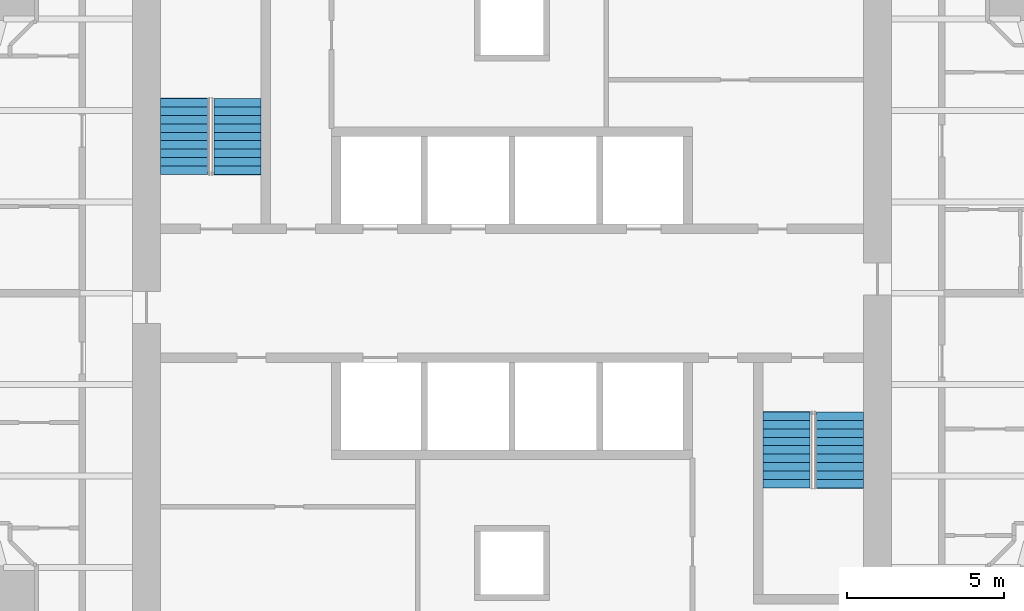
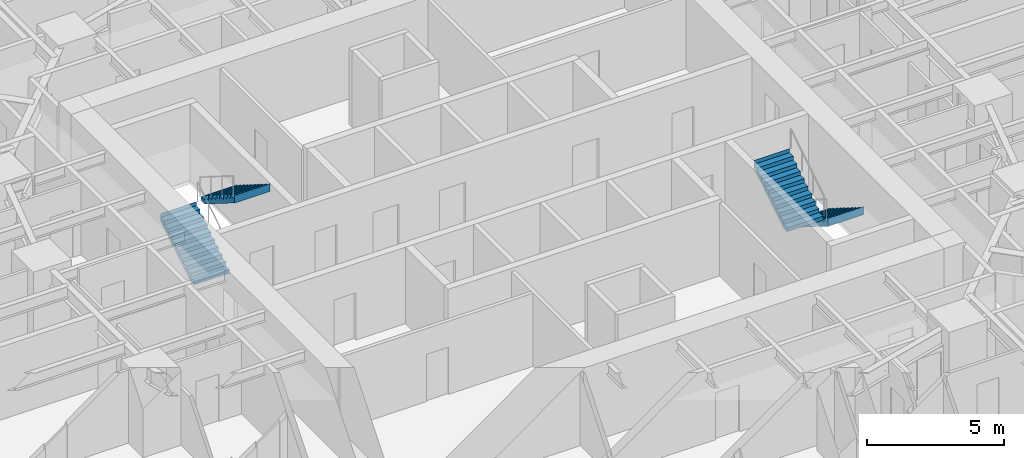
# One storey, part 17 of 18: 4 stair flights, 2 elements without a shape of their own.
"""IFC4 building model written with IfcOpenShell, lengths in metres."""

from ifc_helpers import new_model, si_unit, direction, frame, origin, place, context, subcontext, project, spatial, polyline, outline, extrude, material, type_object, element, aggregate, save


model = new_model("IFC4")

# Units and contexts
model_context = context("Model", 3, precision=1e-05, world=origin(), true_north=direction((0.0, 1.0)))
body_context = subcontext(model_context, "Body", "Model", "MODEL_VIEW")
ifc_project = project(units=[si_unit("LENGTHUNIT", "METRE"), si_unit("AREAUNIT", "SQUARE_METRE"), si_unit("VOLUMEUNIT", "CUBIC_METRE"), si_unit("PLANEANGLEUNIT", "RADIAN"), si_unit("MASSUNIT", "GRAM", prefix="KILO")], contexts=[model_context])

# Site, building, storey
site_placement = place(None, origin())
site = spatial("IfcSite", under=ifc_project, at=site_placement, CompositionType="ELEMENT")
building_placement = place(site_placement, origin())
building = spatial("IfcBuilding", under=site, at=building_placement, Name="Torsade Residences", CompositionType="ELEMENT")
storey_placement = place(building_placement, frame((0.0, 0.0, 25.199951171875)))
storey = spatial("IfcBuildingStorey", under=building, at=storey_placement, Name="L06", CompositionType="ELEMENT", Elevation=25.199951171875)

# Stair, stair flights
ifc_material_1 = material(Name="Precast concrete 40 MPa", Category="concrete")
stair_type = type_object("IfcStairType", Name="HALF-TURN FIRE STAIR 1500x3400", PredefinedType="HALF_TURN_STAIR", material=ifc_material_1)
stair_1_placement = place(storey_placement, origin())
stair_1 = element("IfcStair", 1, at=stair_1_placement, inside=storey, type_object=stair_type, Name="Stair ST1 L06", PredefinedType="HALF_TURN_STAIR")
ifc_material_2 = material(Name="Precast concrete 40 MPa", Category="concrete")
stair_flight_type = type_object("IfcStairFlightType", Name="PRECAST STAIR FLIGHT 1500x1700", PredefinedType="STRAIGHT", material=ifc_material_2)
stair_flight_1_placement = place(storey_placement, frame((29.550048828125, 33.780029296875, 0.0), z_axis=(0.0, 0.0, 1.0), x_axis=(0.0, 1.0, 0.0)))
stair_flight_1 = element("IfcStairFlight", 2, at=stair_flight_1_placement, type_object=stair_flight_type, Name="ST1 flight 1", NumberOfRisers=10, NumberOfTreads=9, PredefinedType="STRAIGHT", RiserHeight=0.17, TreadLength=0.27, context=body_context, shape_type="SweptSolid", body=[
    extrude(outline(polyline([(0.0, 0.0), (0.0, 0.169921875), (0.27001953125, 0.169921875), (0.27001953125, 0.340087890625), (0.5400390625, 0.340087890625), (0.5400390625, 0.510009765625), (0.81005859375, 0.510009765625), (0.81005859375, 0.679931640625), (1.080078125, 0.679931640625), (1.080078125, 0.85009765625), (1.35009765625, 0.85009765625), (1.35009765625, 1.02001953125), (1.6201171875, 1.02001953125), (1.6201171875, 1.18994140625), (1.889892578125, 1.18994140625), (1.889892578125, 1.360107421875), (2.159912109375, 1.360107421875), (2.159912109375, 1.530029296875), (2.429931640625, 1.530029296875), (2.429931640625, 1.699951171875), (2.43994140625, 1.699951171875), (2.43994140625, 1.352783203125), (2.429931640625, 1.352783203125), (0.28125, 0.0), (0.0, 0.0)])), frame((0.0, 0.75, 0.0), z_axis=(0.0, -1.0, 0.0), x_axis=(1.0, 0.0, 0.0)), (0.0, 0.0, 1.0), 1.5),
])
stair_flight_2_placement = place(storey_placement, frame((31.25, 36.2099609375, 1.699951171875), z_axis=(0.0, 0.0, 1.0), x_axis=(0.0, -1.0, 0.0)))
stair_flight_2 = element("IfcStairFlight", 3, at=stair_flight_2_placement, type_object=stair_flight_type, Name="ST1 flight 2", NumberOfRisers=10, NumberOfTreads=9, PredefinedType="STRAIGHT", RiserHeight=0.17, TreadLength=0.27, context=body_context, shape_type="SweptSolid", body=[
    extrude(outline(polyline([(0.0, 0.0), (0.0, 0.169921875), (0.27001953125, 0.169921875), (0.27001953125, 0.340087890625), (0.5400390625, 0.340087890625), (0.5400390625, 0.510009765625), (0.81005859375, 0.510009765625), (0.81005859375, 0.679931640625), (1.080078125, 0.679931640625), (1.080078125, 0.85009765625), (1.35009765625, 0.85009765625), (1.35009765625, 1.02001953125), (1.6201171875, 1.02001953125), (1.6201171875, 1.18994140625), (1.889892578125, 1.18994140625), (1.889892578125, 1.360107421875), (2.159912109375, 1.360107421875), (2.159912109375, 1.530029296875), (2.429931640625, 1.530029296875), (2.429931640625, 1.699951171875), (2.43994140625, 1.699951171875), (2.43994140625, 1.352783203125), (2.429931640625, 1.352783203125), (0.28125, 0.0), (0.0, 0.0)])), frame((0.0, 0.75, 0.0), z_axis=(0.0, -1.0, 0.0), x_axis=(1.0, 0.0, 0.0)), (0.0, 0.0, 1.0), 1.5),
])
aggregate(stair_1, [stair_flight_1, stair_flight_2])

stair_2_placement = place(storey_placement, origin())
stair_2 = element("IfcStair", 4, at=stair_2_placement, inside=storey, type_object=stair_type, Name="Stair ST2 L06", PredefinedType="HALF_TURN_STAIR")
stair_flight_3_placement = place(storey_placement, frame((50.449951171875, 26.219970703125, 0.0), z_axis=(0.0, 0.0, 1.0), x_axis=(0.0, -1.0, 0.0)))
stair_flight_3 = element("IfcStairFlight", 5, at=stair_flight_3_placement, type_object=stair_flight_type, Name="ST2 flight 1", NumberOfRisers=10, NumberOfTreads=9, PredefinedType="STRAIGHT", RiserHeight=0.17, TreadLength=0.27, context=body_context, shape_type="SweptSolid", body=[
    extrude(outline(polyline([(0.0, 0.0), (0.0, 0.169921875), (0.27001953125, 0.169921875), (0.27001953125, 0.340087890625), (0.5400390625, 0.340087890625), (0.5400390625, 0.510009765625), (0.81005859375, 0.510009765625), (0.81005859375, 0.679931640625), (1.080078125, 0.679931640625), (1.080078125, 0.85009765625), (1.35009765625, 0.85009765625), (1.35009765625, 1.02001953125), (1.6201171875, 1.02001953125), (1.6201171875, 1.18994140625), (1.889892578125, 1.18994140625), (1.889892578125, 1.360107421875), (2.159912109375, 1.360107421875), (2.159912109375, 1.530029296875), (2.429931640625, 1.530029296875), (2.429931640625, 1.699951171875), (2.43994140625, 1.699951171875), (2.43994140625, 1.352783203125), (2.429931640625, 1.352783203125), (0.28125, 0.0), (0.0, 0.0)])), frame((0.0, 0.75, 0.0), z_axis=(0.0, -1.0, 0.0), x_axis=(1.0, 0.0, 0.0)), (0.0, 0.0, 1.0), 1.5),
])
stair_flight_4_placement = place(storey_placement, frame((48.75, 23.7900390625, 1.699951171875), z_axis=(0.0, 0.0, 1.0), x_axis=(0.0, 1.0, 0.0)))
stair_flight_4 = element("IfcStairFlight", 6, at=stair_flight_4_placement, type_object=stair_flight_type, Name="ST2 flight 2", NumberOfRisers=10, NumberOfTreads=9, PredefinedType="STRAIGHT", RiserHeight=0.17, TreadLength=0.27, context=body_context, shape_type="SweptSolid", body=[
    extrude(outline(polyline([(0.0, 0.0), (0.0, 0.169921875), (0.27001953125, 0.169921875), (0.27001953125, 0.340087890625), (0.5400390625, 0.340087890625), (0.5400390625, 0.510009765625), (0.81005859375, 0.510009765625), (0.81005859375, 0.679931640625), (1.080078125, 0.679931640625), (1.080078125, 0.85009765625), (1.35009765625, 0.85009765625), (1.35009765625, 1.02001953125), (1.6201171875, 1.02001953125), (1.6201171875, 1.18994140625), (1.889892578125, 1.18994140625), (1.889892578125, 1.360107421875), (2.159912109375, 1.360107421875), (2.159912109375, 1.530029296875), (2.429931640625, 1.530029296875), (2.429931640625, 1.699951171875), (2.43994140625, 1.699951171875), (2.43994140625, 1.352783203125), (2.429931640625, 1.352783203125), (0.28125, 0.0), (0.0, 0.0)])), frame((0.0, 0.75, 0.0), z_axis=(0.0, -1.0, 0.0), x_axis=(1.0, 0.0, 0.0)), (0.0, 0.0, 1.0), 1.5),
])
aggregate(stair_2, [stair_flight_3, stair_flight_4])

save(model, "model.ifc")
